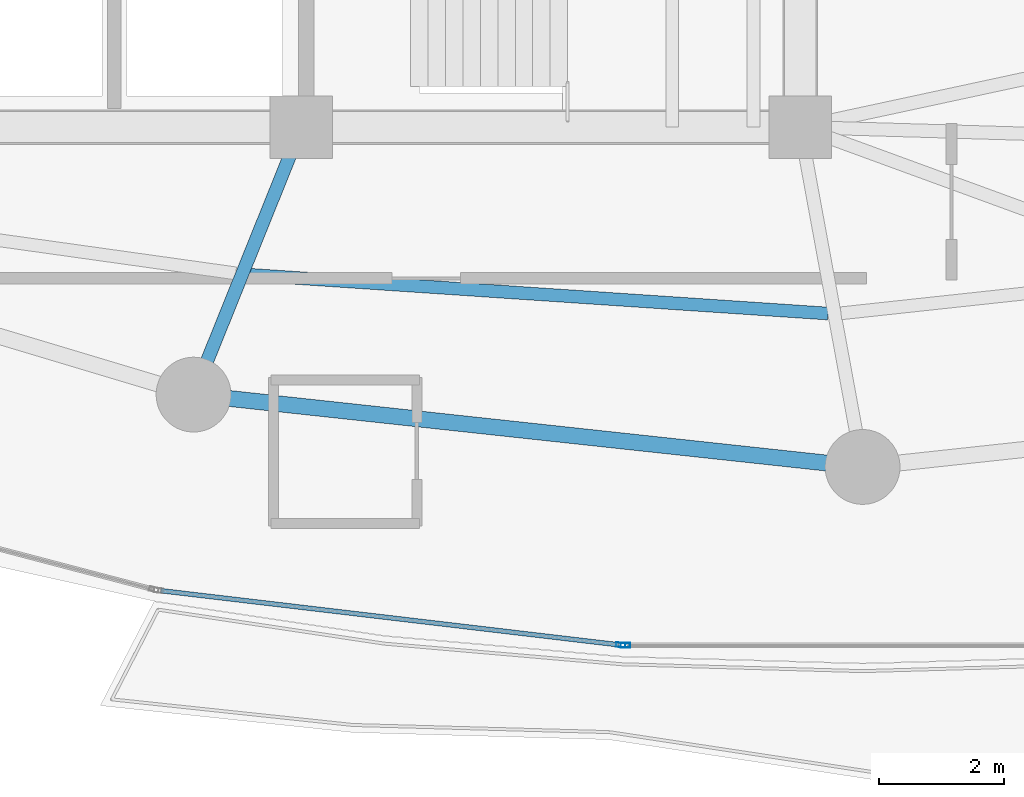
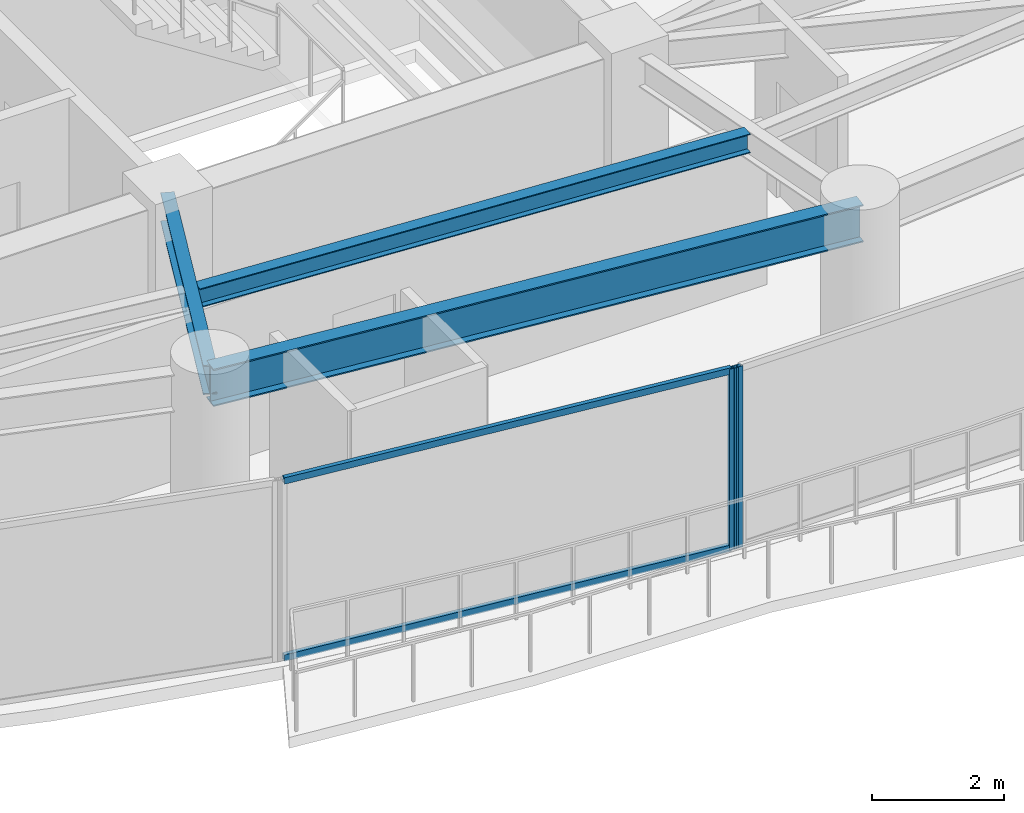
# One storey, part 6 of 33: 4 members, 3 beams, 2 elements without a shape of their own.
"""IFC4 building model written with IfcOpenShell, lengths in metres."""

import ifcopenshell
import ifcopenshell.guid

model = None  # the IFC model being written
_history = None  # IfcOwnerHistory: only IFC2X3 demands one
_inside = {}  # id of a spatial element -> (the spatial element, [elements in it])
_under = {}  # id of a project, library or spatial element -> (it, [spatial elements below it])
_declared = {}  # id of a project -> (the project, [libraries it declares])
_typed = {}  # id of a type object -> (the type object, [elements of that type])
_made_of = {}  # id of a material, layer set ... -> (it, [elements and type objects made of it])


def new_model(schema):
    """Start an empty IFC model of exactly this schema.

    Asked for "IFC4X3", IfcOpenShell would pick the latest addendum, in which some entities
    have other attributes; the version numbers below select the first issue.
    IFC2X3 requires an IfcOwnerHistory on every rooted entity: one is made here for all.
    """
    global model, _history
    if schema == "IFC4X3":
        model = ifcopenshell.file(schema_version=(4, 3, 0, 0))
    else:
        model = ifcopenshell.file(schema=schema)
    _inside.clear()
    _under.clear()
    _declared.clear()
    _typed.clear()
    _made_of.clear()
    _history = None
    if model.schema == "IFC2X3":
        org = make("IfcOrganization", Name="unknown")
        user = make(
            "IfcPersonAndOrganization",
            ThePerson=make("IfcPerson", FamilyName="unknown"),
            TheOrganization=org,
        )
        app = make(
            "IfcApplication",
            ApplicationDeveloper=org,
            Version="unknown",
            ApplicationFullName="unknown",
            ApplicationIdentifier="unknown",
        )
        _history = make(
            "IfcOwnerHistory",
            OwningUser=user,
            OwningApplication=app,
            ChangeAction="ADDED",
            CreationDate=0,
        )
    return model


def make(cls, **values):
    """One entity of the class cls with the attributes given. An attribute that is None is left unset."""
    return model.create_entity(
        cls, **{name: value for name, value in values.items() if value is not None}
    )


def rooted(cls, **values):
    """An entity with a GlobalId (a new one), such as an element, a storey or a relation."""
    return make(cls, GlobalId=ifcopenshell.guid.new(), OwnerHistory=_history, **values)


def si_unit(unit_type, name, prefix=None):
    """IfcSIUnit, for example si_unit("LENGTHUNIT", "METRE", prefix="MILLI")."""
    return make("IfcSIUnit", UnitType=unit_type, Prefix=prefix, Name=name)


def assignment(units):
    """IfcUnitAssignment: the units of a project."""
    return None if units is None else make("IfcUnitAssignment", Units=units)


def point(xyz):
    """IfcCartesianPoint."""
    return None if xyz is None else make("IfcCartesianPoint", Coordinates=xyz)


def direction(xyz):
    """IfcDirection."""
    return None if xyz is None else make("IfcDirection", DirectionRatios=xyz)


def frame(location, z_axis=None, x_axis=None):
    """IfcAxis2Placement3D, a coordinate frame: its origin and axes. An axis left out is left unset."""
    return make(
        "IfcAxis2Placement3D",
        Location=point(location),
        Axis=direction(z_axis),
        RefDirection=direction(x_axis),
    )


def frame_2d(location, x_axis=None):
    """IfcAxis2Placement2D, a coordinate frame in the plane: its origin and x axis."""
    return make(
        "IfcAxis2Placement2D", Location=point(location), RefDirection=direction(x_axis)
    )


def origin():
    """The frame at (0, 0, 0) with its axes left unset."""
    return frame((0.0, 0.0, 0.0))


def origin_2d():
    """The frame at (0, 0) in the plane with its x axis left unset."""
    return frame_2d((0.0, 0.0))


def place(relative_to, where):
    """IfcLocalPlacement: puts the frame where relative to a parent placement (None: the world)."""
    return make(
        "IfcLocalPlacement", PlacementRelTo=relative_to, RelativePlacement=where
    )


def context(
    kind, dimensions, precision=None, world=None, true_north=None, identifier=None
):
    """IfcGeometricRepresentationContext, for example the 3D "Model" context."""
    return make(
        "IfcGeometricRepresentationContext",
        ContextIdentifier=identifier,
        ContextType=kind,
        CoordinateSpaceDimension=dimensions,
        Precision=precision,
        WorldCoordinateSystem=world,
        TrueNorth=true_north,
    )


def subcontext(parent, identifier, kind, view, scale=None):
    """IfcGeometricRepresentationSubContext, for example "Body" below "Model"."""
    return make(
        "IfcGeometricRepresentationSubContext",
        ContextIdentifier=identifier,
        ContextType=kind,
        ParentContext=parent,
        TargetScale=scale,
        TargetView=view,
    )


def project(units=None, contexts=None):
    """IfcProject with its units and contexts."""
    return rooted(
        "IfcProject",
        Name="project",
        RepresentationContexts=contexts,
        UnitsInContext=assignment(units),
    )


def spatial(cls, under=None, at=None, **own):
    """A site, building, storey or space (cls), placed at a placement, below another one or the project."""
    s = rooted(cls, ObjectPlacement=at, **own)
    if under is not None:
        _under.setdefault(under.id(), (under, []))[1].append(s)
    return s


def profile(cls, at=None, kind="AREA", **sizes):
    """A parametric profile (cls). Its sizes go by their IFC names, for example OverallWidth=200.0."""
    return make(cls, ProfileType=kind, Position=at, **sizes)


def hollow_rectangle(**sizes):
    """IfcRectangleHollowProfileDef."""
    return profile("IfcRectangleHollowProfileDef", **sizes)


def i_section(**sizes):
    """IfcIShapeProfileDef."""
    return profile("IfcIShapeProfileDef", **sizes)


def extrude(swept, where, along, depth):
    """IfcExtrudedAreaSolid: the profile swept, set in the frame where, extruded along a direction by depth."""
    return make(
        "IfcExtrudedAreaSolid",
        SweptArea=swept,
        Position=where,
        ExtrudedDirection=direction(along),
        Depth=depth,
    )


def shape(context_of_items, identifier, shape_type, items):
    """IfcShapeRepresentation: the items that make up one representation, for example the "Body"."""
    return make(
        "IfcShapeRepresentation",
        ContextOfItems=context_of_items,
        RepresentationIdentifier=identifier,
        RepresentationType=shape_type,
        Items=items,
    )


def material(Name=None, Category=None):
    """IfcMaterial."""
    return make("IfcMaterial", Name=Name, Category=Category)


def layer(
    of_material, thickness, ventilated=None, Name=None, Category=None, Priority=None
):
    """IfcMaterialLayer: one layer of a wall or slab, of a material (None: an air gap)."""
    return make(
        "IfcMaterialLayer",
        Material=of_material,
        LayerThickness=thickness,
        IsVentilated=ventilated,
        Name=Name,
        Category=Category,
        Priority=Priority,
    )


def layer_set(layers, Name=None):
    """IfcMaterialLayerSet."""
    return make("IfcMaterialLayerSet", MaterialLayers=layers, LayerSetName=Name)


def material_profile(
    of_material, cross_section, Name=None, Category=None, Priority=None
):
    """IfcMaterialProfile: a cross section and its material."""
    return make(
        "IfcMaterialProfile",
        Name=Name,
        Material=of_material,
        Profile=cross_section,
        Priority=Priority,
        Category=Category,
    )


def profile_set(profiles, Name=None, composite=None):
    """IfcMaterialProfileSet."""
    return make(
        "IfcMaterialProfileSet",
        Name=Name,
        MaterialProfiles=profiles,
        CompositeProfile=composite,
    )


def made_of(thing, what):
    """Note that an element or type object is made of a material, layer set ...; save() writes the relation."""
    if what is not None:
        _made_of.setdefault(what.id(), (what, []))[1].append(thing)
    return thing


def type_object(cls, material=None, **own):
    """A type object (cls), such as IfcWallType, which elements share."""
    return made_of(rooted(cls, **own), material)


def element(
    cls,
    number,
    at=None,
    inside=None,
    cuts=None,
    type_object=None,
    material=None,
    context=None,
    identifier="Body",
    shape_type=None,
    held_by="IfcProductDefinitionShape",
    body=None,
    shapes=None,
    **own,
):
    """One element of the class cls, such as IfcWall. Its Tag is "e" and its number.

    at: its placement. inside: the storey or other place that contains it. cuts: it is an
    opening in that element (IfcRelVoidsElement). A single representation is given by context,
    identifier, shape_type and body (its items); several are given by shapes. held_by: the class
    of the entity that holds the representations. save() writes the other relations.
    """
    e = rooted(cls, Tag="e%d" % number, ObjectPlacement=at, **own)
    if body is not None:
        shapes = [shape(context, identifier, shape_type, body)]
    if shapes is not None:
        e.Representation = make(held_by, Representations=shapes)
    if inside is not None:
        _inside.setdefault(inside.id(), (inside, []))[1].append(e)
    if cuts is not None:
        rooted(
            "IfcRelVoidsElement", RelatingBuildingElement=cuts, RelatedOpeningElement=e
        )
    if type_object is not None:
        _typed.setdefault(type_object.id(), (type_object, []))[1].append(e)
    return made_of(e, material)


def aggregate(whole, parts):
    """IfcRelAggregates: a whole, such as a stair, and the parts it consists of."""
    return rooted("IfcRelAggregates", RelatingObject=whole, RelatedObjects=parts)


def save(model, path):
    """Write the relations noted so far, then the file.

    IfcRelAggregates (storeys below a building ...), IfcRelContainedInSpatialStructure (elements
    in a storey), IfcRelDefinesByType, IfcRelAssociatesMaterial and IfcRelDeclares: one each for
    every whole, place, type object, material and project.
    """
    for whole, parts in _under.values():
        aggregate(whole, parts)
    for where, things in _inside.values():
        rooted(
            "IfcRelContainedInSpatialStructure",
            RelatedElements=things,
            RelatingStructure=where,
        )
    for kind, things in _typed.values():
        rooted("IfcRelDefinesByType", RelatedObjects=things, RelatingType=kind)
    for what, things in _made_of.values():
        rooted("IfcRelAssociatesMaterial", RelatedObjects=things, RelatingMaterial=what)
    for by, libraries in _declared.values():
        rooted("IfcRelDeclares", RelatingContext=by, RelatedDefinitions=libraries)
    model.write(path)


model = new_model("IFC4")

# Units and contexts
model_context = context("Model", 3, precision=1e-05, world=origin(), true_north=direction((0.0, 1.0)))
body_context = subcontext(model_context, "Body", "Model", "MODEL_VIEW")
ifc_project = project(units=[si_unit("LENGTHUNIT", "METRE"), si_unit("AREAUNIT", "SQUARE_METRE"), si_unit("VOLUMEUNIT", "CUBIC_METRE"), si_unit("PLANEANGLEUNIT", "RADIAN"), si_unit("MASSUNIT", "GRAM", prefix="KILO")], contexts=[model_context])

# Site, building, storey
site_placement = place(None, origin())
site = spatial("IfcSite", under=ifc_project, at=site_placement, CompositionType="ELEMENT")
building_placement = place(site_placement, origin())
building = spatial("IfcBuilding", under=site, at=building_placement, Name="Kazevale Care Tower and Concert Hall", CompositionType="ELEMENT")
storey_placement = place(building_placement, frame((0.0, 0.0, 145.800048828125)))
storey = spatial("IfcBuildingStorey", under=building, at=storey_placement, Name="L38", CompositionType="ELEMENT", Elevation=145.800048828125)

# Curtain wall, member
ifc_material_1 = material(Name="Aluminium 6063-T6 and Low-E Glass", Category="aluminium")
ifc_layer = layer(ifc_material_1, 0.179931640625)
ifc_layer_set = layer_set([ifc_layer], Name="Aluminium 6063-T6 and Low-E Glass")
curtain_wall_type = type_object("IfcCurtainWallType", Name="Sheltered Concave Balcony Curtain Wall CW-5", PredefinedType="NOTDEFINED", material=ifc_layer_set)
curtain_wall_1_placement = place(storey_placement, origin())
curtain_wall_1 = element("IfcCurtainWall", 1, at=curtain_wall_1_placement, inside=storey, type_object=curtain_wall_type, Name="cw:L38:f06", PredefinedType="NOTDEFINED")
ifc_material_2 = material(Name="Aluminium 6063-T6", Category="aluminium")
ifc_material_profile_1 = material_profile(ifc_material_2, hollow_rectangle(XDim=0.074951171875, YDim=0.14990234375, WallThickness=0.00390625, at=origin_2d()), Name="ALU75x150x4")
ifc_profile_set_1 = profile_set([ifc_material_profile_1], Name="Aluminium 6063-T6")
member_type_1 = type_object("IfcMemberType", Name="CW-5 Mullion ALU75x150x4", PredefinedType="MULLION", material=ifc_profile_set_1)
member_1_placement = place(storey_placement, frame((41.196533203125, 15.2890625, 0.0), z_axis=(0.0, 0.0, 1.0), x_axis=(0.0, -1.0, 0.0)))
member_1 = element("IfcMember", 2, at=member_1_placement, type_object=member_type_1, Name="CW-5 mullion 2", PredefinedType="MULLION", context=body_context, shape_type="SweptSolid", body=[
    extrude(hollow_rectangle(XDim=0.074951171875, YDim=0.14990234375, WallThickness=0.00390625, at=origin_2d()), origin(), (0.0, 0.0, 1.0), 3.35986328125),
])
aggregate(curtain_wall_1, [member_1])

# Curtain wall, members
curtain_wall_2_placement = place(storey_placement, origin())
curtain_wall_2 = element("IfcCurtainWall", 3, at=curtain_wall_2_placement, inside=storey, type_object=curtain_wall_type, Name="cw:L38:f07", PredefinedType="NOTDEFINED")
member_2_placement = place(storey_placement, frame((41.121826171875, 15.29345703125, 0.0), z_axis=(0.0, 0.0, 1.0), x_axis=(-0.117372179238, -0.993087997884, 0.0)))
member_2 = element("IfcMember", 4, at=member_2_placement, type_object=member_type_1, Name="CW-5 mullion 1", PredefinedType="MULLION", context=body_context, shape_type="SweptSolid", body=[
    extrude(hollow_rectangle(XDim=0.074951171875, YDim=0.14990234375, WallThickness=0.00390625, at=origin_2d()), origin(), (0.0, 0.0, 1.0), 3.35986328125),
])
ifc_material_profile_2 = material_profile(ifc_material_2, hollow_rectangle(XDim=0.074951171875, YDim=0.1201171875, WallThickness=0.00390625, at=origin_2d()), Name="ALU75x120x4")
ifc_profile_set_2 = profile_set([ifc_material_profile_2], Name="Aluminium 6063-T6")
member_type_2 = type_object("IfcMemberType", Name="CW-5 Transom ALU75x120x4", PredefinedType="USERDEFINED", material=ifc_profile_set_2)
member_3_placement = place(storey_placement, frame((41.08447265625, 15.2978515625, 0.037353515625), z_axis=(-0.993087545854, 0.117376003806, 0.0), x_axis=(-0.117376003806, -0.993087545854, 0.0)))
member_3 = element("IfcMember", 5, at=member_3_placement, type_object=member_type_2, Name="CW-5 transom 1.1", ObjectType="TRANSOM", PredefinedType="USERDEFINED", context=body_context, shape_type="SweptSolid", body=[
    extrude(hollow_rectangle(XDim=0.074951171875, YDim=0.1201171875, WallThickness=0.00390625, at=origin_2d()), origin(), (0.0, 0.0, 1.0), 7.39013671875),
])
member_4_placement = place(storey_placement, frame((41.08447265625, 15.2978515625, 3.322509765625), z_axis=(-0.993087545854, 0.117376003806, 0.0), x_axis=(-0.117376003806, -0.993087545854, 0.0)))
member_4 = element("IfcMember", 6, at=member_4_placement, type_object=member_type_2, Name="CW-5 transom 1.2", ObjectType="TRANSOM", PredefinedType="USERDEFINED", context=body_context, shape_type="SweptSolid", body=[
    extrude(hollow_rectangle(XDim=0.074951171875, YDim=0.1201171875, WallThickness=0.00390625, at=origin_2d()), origin(), (0.0, 0.0, 1.0), 7.39013671875),
])
aggregate(curtain_wall_2, [member_2, member_3, member_4])

# Beams
ifc_material_3 = material(Name="Steel ASTM A572 Gr 50", Category="steel")
ifc_material_profile_3 = material_profile(ifc_material_3, i_section(OverallWidth=0.2119140625, OverallDepth=0.5439453125, WebThickness=0.01318359375, FlangeThickness=0.021240234375, at=origin_2d()), Name="W530x123")
ifc_profile_set_3 = profile_set([ifc_material_profile_3], Name="Steel ASTM A572 Gr 50")
beam_type_1 = type_object("IfcBeamType", Name="Radial Floor Girder W530x123", PredefinedType="BEAM", material=ifc_profile_set_3)
beam_1_placement = place(storey_placement, frame((36.0, 23.60009765625, 3.087890625), z_axis=(-0.373991766452, -0.927432023722, 0.0), x_axis=(0.927432023722, -0.373991766452, 0.0)))
element("IfcBeam", 7, at=beam_1_placement, inside=storey, type_object=beam_type_1, Name="beam:L38:rad:12", PredefinedType="BEAM", context=body_context, shape_type="SweptSolid", body=[
    extrude(i_section(OverallWidth=0.2119140625, OverallDepth=0.5439453125, WebThickness=0.01318359375, FlangeThickness=0.021240234375, at=origin_2d()), origin(), (0.0, 0.0, 1.0), 4.625732421875),
])
ifc_material_profile_4 = material_profile(ifc_material_3, i_section(OverallWidth=0.205078125, OverallDepth=0.35400390625, WebThickness=0.009521484375, FlangeThickness=0.016845703125, at=origin_2d()), Name="W360x79")
ifc_profile_set_4 = profile_set([ifc_material_profile_4], Name="Steel ASTM A572 Gr 50")
beam_type_2 = type_object("IfcBeamType", Name="Secondary Floor Joist W360x79", PredefinedType="JOIST", material=ifc_profile_set_4)
beam_2_placement = place(storey_placement, frame((35.153076171875, 21.23291015625, 3.182861328125), z_axis=(0.997761314569, -0.06687569925, 0.0), x_axis=(0.06687569925, 0.997761314569, 0.0)))
element("IfcBeam", 8, at=beam_2_placement, inside=storey, type_object=beam_type_2, Name="beam:L38:joist:12", PredefinedType="JOIST", context=body_context, shape_type="SweptSolid", body=[
    extrude(i_section(OverallWidth=0.205078125, OverallDepth=0.35400390625, WebThickness=0.009521484375, FlangeThickness=0.016845703125, at=origin_2d()), origin(), (0.0, 0.0, 1.0), 9.312744140625),
])
ifc_material_profile_5 = material_profile(ifc_material_3, i_section(OverallWidth=0.256103515625, OverallDepth=0.693115234375, WebThickness=0.014404296875, FlangeThickness=0.023681640625, at=origin_2d()), Name="W690x170")
ifc_profile_set_5 = profile_set([ifc_material_profile_5], Name="Steel ASTM A572 Gr 50")
beam_type_3 = type_object("IfcBeamType", Name="Waist Ring Beam W690x170", PredefinedType="BEAM", material=ifc_profile_set_5)
beam_3_placement = place(storey_placement, frame((34.27001953125, 19.31005859375, 3.013427734375), z_axis=(0.994205479487, -0.107496346724, 0.0), x_axis=(0.107496346724, 0.994205479487, 0.0)))
element("IfcBeam", 9, at=beam_3_placement, inside=storey, type_object=beam_type_3, Name="beam:L38:ring:12", PredefinedType="BEAM", context=body_context, shape_type="SweptSolid", body=[
    extrude(i_section(OverallWidth=0.256103515625, OverallDepth=0.693115234375, WebThickness=0.014404296875, FlangeThickness=0.023681640625, at=origin_2d()), origin(), (0.0, 0.0, 1.0), 10.79248046875),
])

save(model, "model.ifc")
